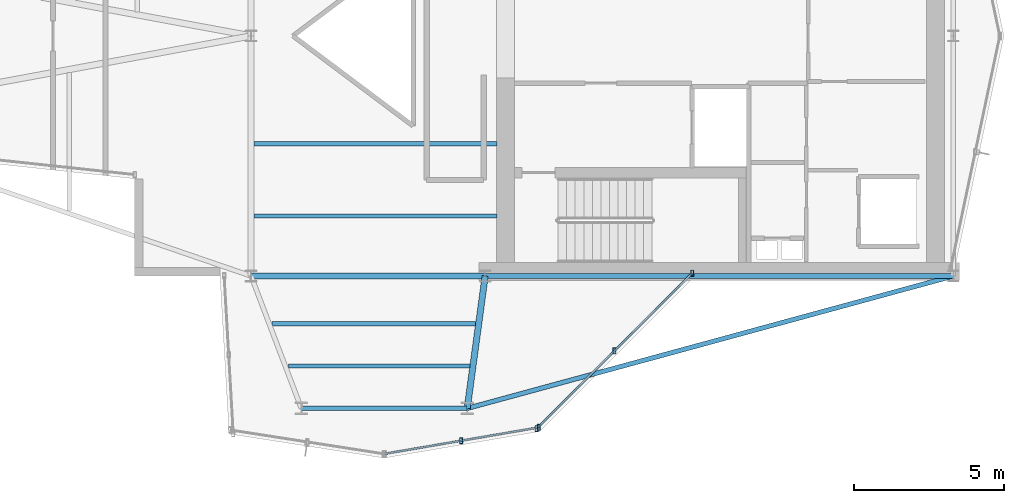
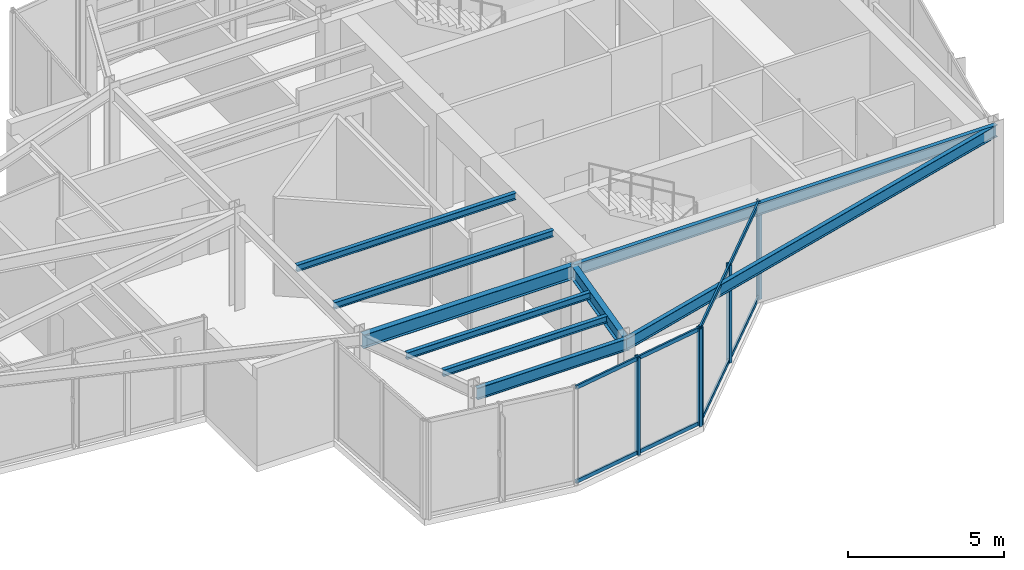
# One storey, part 3 of 13: 9 beams, 9 members, 2 elements without a shape of their own.
"""IFC4 building model written with IfcOpenShell, lengths in metres."""

from ifc_helpers import new_model, si_unit, direction, frame, origin, origin_2d, place, context, subcontext, project, spatial, hollow_rectangle, i_section, extrude, material, layer, layer_set, material_profile, profile_set, type_object, element, aggregate, save


model = new_model("IFC4")

# Units and contexts
model_context = context("Model", 3, precision=1e-05, world=origin(), true_north=direction((0.0, 1.0)))
body_context = subcontext(model_context, "Body", "Model", "MODEL_VIEW")
ifc_project = project(units=[si_unit("LENGTHUNIT", "METRE"), si_unit("AREAUNIT", "SQUARE_METRE"), si_unit("VOLUMEUNIT", "CUBIC_METRE"), si_unit("PLANEANGLEUNIT", "RADIAN"), si_unit("MASSUNIT", "GRAM", prefix="KILO")], contexts=[model_context])

# Site, building, storey
site_placement = place(None, origin())
site = spatial("IfcSite", under=ifc_project, at=site_placement, CompositionType="ELEMENT")
building_placement = place(site_placement, origin())
building = spatial("IfcBuilding", under=site, at=building_placement, Name="Veymaron Broadcast Tower", CompositionType="ELEMENT")
storey_placement = place(building_placement, frame((0.0, 0.0, 303.300048828125)))
storey = spatial("IfcBuildingStorey", under=building, at=storey_placement, Name="L71", CompositionType="ELEMENT", Elevation=303.300048828125)

# Beams
ifc_material_1 = material(Name="Structural steel ASTM A992 Gr 50", Category="steel")
ifc_material_profile_1 = material_profile(ifc_material_1, i_section(OverallWidth=0.208984375, OverallDepth=0.528076171875, WebThickness=0.009521484375, FlangeThickness=0.01318359375, at=origin_2d()), Name="W530X82")
ifc_profile_set_1 = profile_set([ifc_material_profile_1], Name="Structural steel ASTM A992 Gr 50")
beam_type_1 = type_object("IfcBeamType", Name="BM-FG4", PredefinedType="BEAM", material=ifc_profile_set_1)
beam_1_placement = place(storey_placement, frame((31.199951171875, 16.0, 3.5458984375), z_axis=(1.0, 0.0, 0.0), x_axis=(0.0, 1.0, 0.0)))
element("IfcBeam", 1, at=beam_1_placement, inside=storey, type_object=beam_type_1, Name="L71 primary structural floor girder", PredefinedType="BEAM", context=body_context, shape_type="SweptSolid", body=[
    extrude(i_section(OverallWidth=0.208984375, OverallDepth=0.528076171875, WebThickness=0.009521484375, FlangeThickness=0.01318359375, at=origin_2d()), origin(), (0.0, 0.0, 1.0), 7.800048828125),
])
beam_2_placement = place(storey_placement, frame((39.0, 16.0, 3.5458984375), z_axis=(-0.134286101992, -0.990942603187, 0.0), x_axis=(0.990942603187, -0.134286101992, 0.0)))
element("IfcBeam", 2, at=beam_2_placement, inside=storey, type_object=beam_type_1, Name="L71 primary structural floor girder", PredefinedType="BEAM", context=body_context, shape_type="SweptSolid", body=[
    extrude(i_section(OverallWidth=0.208984375, OverallDepth=0.528076171875, WebThickness=0.009521484375, FlangeThickness=0.01318359375, at=origin_2d()), origin(), (0.0, 0.0, 1.0), 4.452392578125),
])
ifc_material_profile_2 = material_profile(ifc_material_1, i_section(OverallWidth=0.14599609375, OverallDepth=0.258056640625, WebThickness=0.006103515625, FlangeThickness=0.009033203125, at=origin_2d()), Name="W250X33")
ifc_profile_set_2 = profile_set([ifc_material_profile_2], Name="Structural steel ASTM A992 Gr 50")
beam_type_2 = type_object("IfcBeamType", Name="BM-JS4", PredefinedType="JOIST", material=ifc_profile_set_2)
beam_3_placement = place(storey_placement, frame((31.90283203125, 14.41162109375, 3.680908203125), z_axis=(1.0, 0.0, 0.0), x_axis=(0.0, 1.0, 0.0)))
element("IfcBeam", 3, at=beam_3_placement, inside=storey, type_object=beam_type_2, Name="L71 Arm-C secondary joist 1", PredefinedType="JOIST", context=body_context, shape_type="SweptSolid", body=[
    extrude(i_section(OverallWidth=0.14599609375, OverallDepth=0.258056640625, WebThickness=0.006103515625, FlangeThickness=0.009033203125, at=origin_2d()), origin(), (0.0, 0.0, 1.0), 6.781982421875),
])
beam_4_placement = place(storey_placement, frame((32.438720703125, 12.999755859375, 3.680908203125), z_axis=(1.0, 0.0, 0.0), x_axis=(0.0, 1.0, 0.0)))
element("IfcBeam", 4, at=beam_4_placement, inside=storey, type_object=beam_type_2, Name="L71 Arm-C secondary joist 2", PredefinedType="JOIST", context=body_context, shape_type="SweptSolid", body=[
    extrude(i_section(OverallWidth=0.14599609375, OverallDepth=0.258056640625, WebThickness=0.006103515625, FlangeThickness=0.009033203125, at=origin_2d()), origin(), (0.0, 0.0, 1.0), 6.0546875),
])
for number, where, z_axis, x_axis, name in (
    (5, (31.300048828125, 18.0, 3.680908203125), (1.0, 0.0, 0.0), (0.0, 1.0, 0.0), "L71 Hub secondary joist 1"),
    (6, (31.300048828125, 20.39990234375, 3.680908203125), (1.0, 0.0, 0.0), (0.0, 1.0, 0.0), "L71 Hub secondary joist 2"),
):
    element("IfcBeam", number, at=place(storey_placement, frame(where, z_axis=z_axis, x_axis=x_axis)), inside=storey, type_object=beam_type_2, Name=name, PredefinedType="JOIST", context=body_context, shape_type="SweptSolid", body=[
        extrude(i_section(OverallWidth=0.14599609375, OverallDepth=0.258056640625, WebThickness=0.006103515625, FlangeThickness=0.009033203125, at=origin_2d()), origin(), (0.0, 0.0, 1.0), 8.099853515625),
    ])
ifc_material_profile_3 = material_profile(ifc_material_1, i_section(OverallWidth=0.154052734375, OverallDepth=0.458984375, WebThickness=0.009033203125, FlangeThickness=0.015380859375, at=origin_2d()), Name="W460X68")
ifc_profile_set_3 = profile_set([ifc_material_profile_3], Name="Structural steel ASTM A992 Gr 50")
beam_type_3 = type_object("IfcBeamType", Name="BM-SP2", PredefinedType="SPANDREL", material=ifc_profile_set_3)
beam_5_placement = place(storey_placement, frame((39.0, 16.0, 3.58056640625), z_axis=(1.0, 0.0, 0.0), x_axis=(0.0, 1.0, 0.0)))
element("IfcBeam", 7, at=beam_5_placement, inside=storey, type_object=beam_type_3, Name="L71 primary structural floor girder", PredefinedType="SPANDREL", context=body_context, shape_type="SweptSolid", body=[
    extrude(i_section(OverallWidth=0.154052734375, OverallDepth=0.458984375, WebThickness=0.009033203125, FlangeThickness=0.015380859375, at=origin_2d()), origin(), (0.0, 0.0, 1.0), 15.60009765625),
])
beam_6_placement = place(storey_placement, frame((54.60009765625, 16.0, 3.58056640625), z_axis=(-0.964847335687, -0.262810994477, 0.0), x_axis=(0.262810994477, -0.964847335687, 0.0)))
element("IfcBeam", 8, at=beam_6_placement, inside=storey, type_object=beam_type_3, Name="L71 primary structural floor girder", PredefinedType="SPANDREL", context=body_context, shape_type="SweptSolid", body=[
    extrude(i_section(OverallWidth=0.154052734375, OverallDepth=0.458984375, WebThickness=0.009033203125, FlangeThickness=0.015380859375, at=origin_2d()), origin(), (0.0, 0.0, 1.0), 16.7880859375),
])
beam_7_placement = place(storey_placement, frame((32.87451171875, 11.587890625, 3.58056640625), z_axis=(1.0, 0.0, 0.0), x_axis=(0.0, 1.0, 0.0)))
element("IfcBeam", 9, at=beam_7_placement, inside=storey, type_object=beam_type_3, Name="L71 primary structural floor girder", PredefinedType="SPANDREL", context=body_context, shape_type="SweptSolid", body=[
    extrude(i_section(OverallWidth=0.154052734375, OverallDepth=0.458984375, WebThickness=0.009033203125, FlangeThickness=0.015380859375, at=origin_2d()), origin(), (0.0, 0.0, 1.0), 5.527587890625),
])

# Curtain wall, members
ifc_material_2 = material(Name="Anodised aluminium AA 6063-T6 and laminated low-E dark glass", Category="aluminium")
ifc_layer = layer(ifc_material_2, 0.179931640625)
ifc_layer_set = layer_set([ifc_layer], Name="Anodised aluminium AA 6063-T6 and laminated low-E dark glass")
curtain_wall_type = type_object("IfcCurtainWallType", Name="CW-SYS-06", PredefinedType="NOTDEFINED", material=ifc_layer_set)
curtain_wall_1_placement = place(storey_placement, origin())
curtain_wall_1 = element("IfcCurtainWall", 10, at=curtain_wall_1_placement, inside=storey, type_object=curtain_wall_type, Name="L71 dark-glass curtain wall CW-L71-E19-1", PredefinedType="NOTDEFINED")
ifc_material_3 = material(Name="Anodised aluminium AA 6063-T6", Category="aluminium")
ifc_material_profile_4 = material_profile(ifc_material_3, hollow_rectangle(XDim=0.10009765625, YDim=0.199951171875, WallThickness=0.010009765625, at=origin_2d()), Name="RHS200X100X10")
ifc_profile_set_4 = profile_set([ifc_material_profile_4], Name="Anodised aluminium AA 6063-T6")
member_type_1 = type_object("IfcMemberType", Name="CW-MUL-01", PredefinedType="MULLION", material=ifc_profile_set_4)
member_1_placement = place(storey_placement, frame((38.199951171875, 10.510986328125, 0.0), z_axis=(0.0, 0.0, 1.0), x_axis=(1.0, 0.0, 0.0)))
member_1 = element("IfcMember", 11, at=member_1_placement, type_object=member_type_1, Name="CW-L71-E19-1 mullion 1", PredefinedType="MULLION", context=body_context, shape_type="SweptSolid", body=[
    extrude(hollow_rectangle(XDim=0.10009765625, YDim=0.199951171875, WallThickness=0.010009765625, at=origin_2d()), origin(), (0.0, 0.0, 1.0), 3.81005859375),
])
member_2_placement = place(storey_placement, frame((40.78662109375, 10.953125, 0.0), z_axis=(0.0, 0.0, 1.0), x_axis=(1.0, 0.0, 0.0)))
member_2 = element("IfcMember", 12, at=member_2_placement, type_object=member_type_1, Name="CW-L71-E19-1 mullion 2", PredefinedType="MULLION", context=body_context, shape_type="SweptSolid", body=[
    extrude(hollow_rectangle(XDim=0.10009765625, YDim=0.199951171875, WallThickness=0.010009765625, at=origin_2d()), origin(), (0.0, 0.0, 1.0), 3.81005859375),
])

curtain_wall_2_placement = place(storey_placement, origin())
curtain_wall_2 = element("IfcCurtainWall", 13, at=curtain_wall_2_placement, inside=storey, type_object=curtain_wall_type, Name="L71 dark-glass curtain wall CW-L71-E20-1", PredefinedType="NOTDEFINED")
member_3_placement = place(storey_placement, frame((40.711181640625, 10.914306640625, 0.0), z_axis=(0.0, 0.0, 1.0), x_axis=(1.0, 0.0, 0.0)))
member_3 = element("IfcMember", 14, at=member_3_placement, type_object=member_type_1, Name="CW-L71-E20-1 mullion 0", PredefinedType="MULLION", context=body_context, shape_type="SweptSolid", body=[
    extrude(hollow_rectangle(XDim=0.10009765625, YDim=0.199951171875, WallThickness=0.010009765625, at=origin_2d()), origin(), (0.0, 0.0, 1.0), 3.81005859375),
])
member_4_placement = place(storey_placement, frame((43.3056640625, 13.506591796875, 0.0), z_axis=(0.0, 0.0, 1.0), x_axis=(1.0, 0.0, 0.0)))
member_4 = element("IfcMember", 15, at=member_4_placement, type_object=member_type_1, Name="CW-L71-E20-1 mullion 1", PredefinedType="MULLION", context=body_context, shape_type="SweptSolid", body=[
    extrude(hollow_rectangle(XDim=0.10009765625, YDim=0.199951171875, WallThickness=0.010009765625, at=origin_2d()), origin(), (0.0, 0.0, 1.0), 3.81005859375),
])
member_5_placement = place(storey_placement, frame((45.900390625, 16.09912109375, 0.0), z_axis=(0.0, 0.0, 1.0), x_axis=(1.0, 0.0, 0.0)))
member_5 = element("IfcMember", 16, at=member_5_placement, type_object=member_type_1, Name="CW-L71-E20-1 mullion 2", PredefinedType="MULLION", context=body_context, shape_type="SweptSolid", body=[
    extrude(hollow_rectangle(XDim=0.10009765625, YDim=0.199951171875, WallThickness=0.010009765625, at=origin_2d()), origin(), (0.0, 0.0, 1.0), 3.81005859375),
])

# Member
ifc_material_profile_5 = material_profile(ifc_material_3, hollow_rectangle(XDim=0.06494140625, YDim=0.14990234375, WallThickness=0.00390625, at=origin_2d()), Name="AL150X65X4")
ifc_profile_set_5 = profile_set([ifc_material_profile_5], Name="Anodised aluminium AA 6063-T6")
member_type_2 = type_object("IfcMemberType", Name="CW-TRN-01", PredefinedType="USERDEFINED", material=ifc_profile_set_5)
member_6_placement = place(storey_placement, frame((35.662841796875, 10.0771484375, 0.070068359375), z_axis=(0.98569437166, 0.168542593066, 0.0), x_axis=(-0.168542593066, 0.98569437166, 0.0)))
member_6 = element("IfcMember", 17, at=member_6_placement, type_object=member_type_2, Name="CW-L71-E19-1 transom B", ObjectType="TRANSOM", PredefinedType="USERDEFINED", context=body_context, shape_type="SweptSolid", body=[
    extrude(hollow_rectangle(XDim=0.06494140625, YDim=0.14990234375, WallThickness=0.00390625, at=origin_2d()), origin(), (0.0, 0.0, 1.0), 5.148193359375),
])

member_7_placement = place(storey_placement, frame((35.662841796875, 10.0771484375, 3.739990234375), z_axis=(0.98569437166, 0.168542593066, 0.0), x_axis=(-0.168542593066, 0.98569437166, 0.0)))
member_7 = element("IfcMember", 18, at=member_7_placement, type_object=member_type_2, Name="CW-L71-E19-1 transom T", ObjectType="TRANSOM", PredefinedType="USERDEFINED", context=body_context, shape_type="SweptSolid", body=[
    extrude(hollow_rectangle(XDim=0.06494140625, YDim=0.14990234375, WallThickness=0.00390625, at=origin_2d()), origin(), (0.0, 0.0, 1.0), 5.148193359375),
])

aggregate(curtain_wall_1, [member_1, member_2, member_6, member_7])

member_8_placement = place(storey_placement, frame((40.74658203125, 10.949462890625, 0.070068359375), z_axis=(0.70739352698, 0.706819919064, 0.0), x_axis=(-0.706819919064, 0.70739352698, 0.0)))
member_8 = element("IfcMember", 19, at=member_8_placement, type_object=member_type_2, Name="CW-L71-E20-1 transom B", ObjectType="TRANSOM", PredefinedType="USERDEFINED", context=body_context, shape_type="SweptSolid", body=[
    extrude(hollow_rectangle(XDim=0.06494140625, YDim=0.14990234375, WallThickness=0.00390625, at=origin_2d()), origin(), (0.0, 0.0, 1.0), 7.235595703125),
])

member_9_placement = place(storey_placement, frame((40.74658203125, 10.949462890625, 3.739990234375), z_axis=(0.70739352698, 0.706819919064, 0.0), x_axis=(-0.706819919064, 0.70739352698, 0.0)))
member_9 = element("IfcMember", 20, at=member_9_placement, type_object=member_type_2, Name="CW-L71-E20-1 transom T", ObjectType="TRANSOM", PredefinedType="USERDEFINED", context=body_context, shape_type="SweptSolid", body=[
    extrude(hollow_rectangle(XDim=0.06494140625, YDim=0.14990234375, WallThickness=0.00390625, at=origin_2d()), origin(), (0.0, 0.0, 1.0), 7.235595703125),
])

aggregate(curtain_wall_2, [member_3, member_4, member_5, member_8, member_9])

save(model, "model.ifc")
